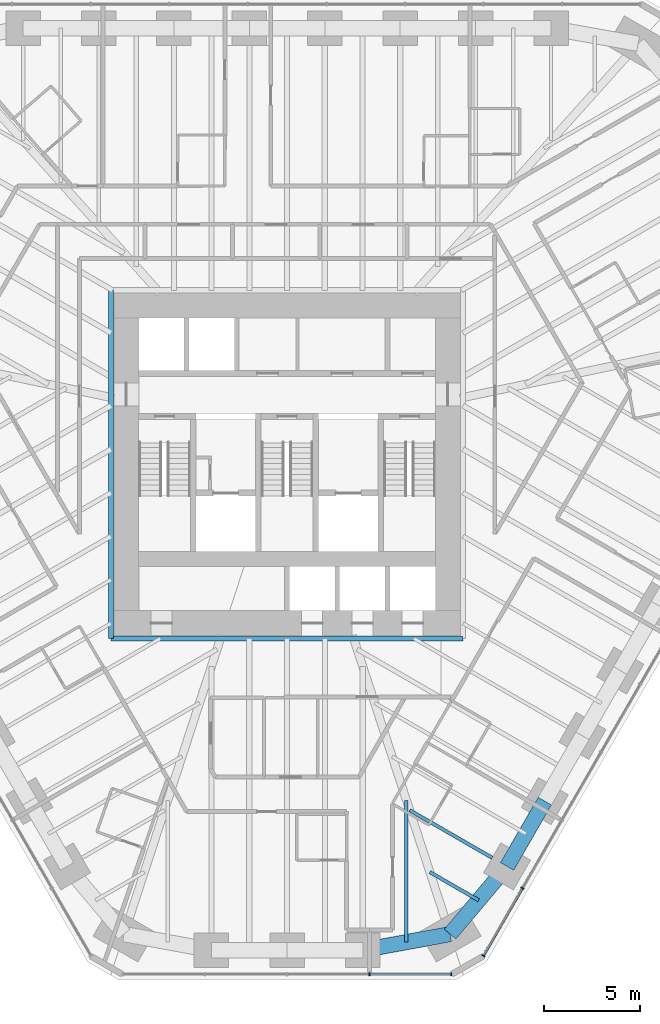
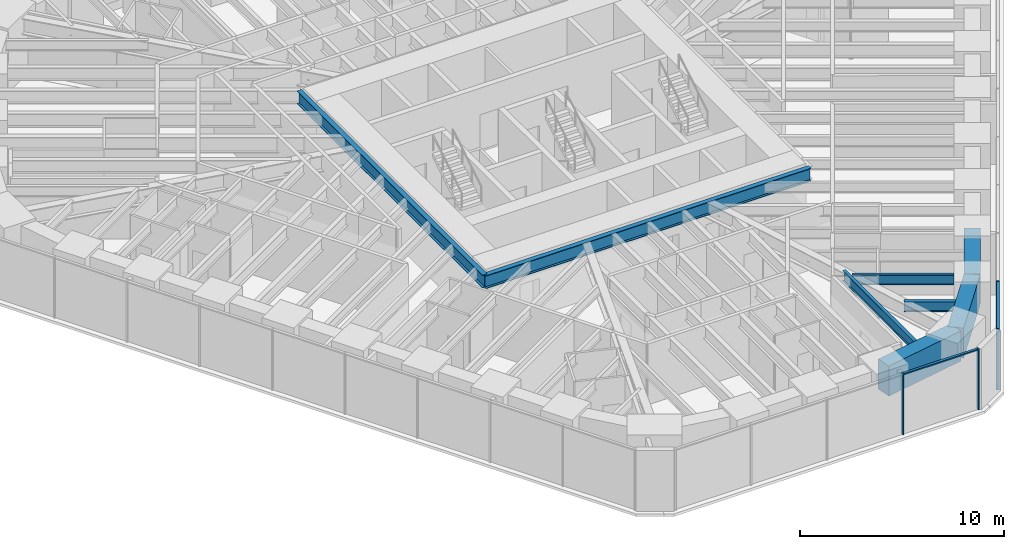
# One storey, part 4 of 17: 8 beams, 6 members, 2 elements without a shape of their own.
"""IFC4 building model written with IfcOpenShell, lengths in metres."""

from ifc_helpers import new_model, si_unit, direction, frame, origin, origin_2d, place, context, subcontext, project, spatial, rectangle, i_section, extrude, material, material_profile, profile_set, type_object, element, aggregate, save


model = new_model("IFC4")

# Units and contexts
model_context = context("Model", 3, precision=1e-05, world=origin(), true_north=direction((0.0, 1.0)))
body_context = subcontext(model_context, "Body", "Model", "MODEL_VIEW")
ifc_project = project(units=[si_unit("LENGTHUNIT", "METRE"), si_unit("AREAUNIT", "SQUARE_METRE"), si_unit("VOLUMEUNIT", "CUBIC_METRE"), si_unit("PLANEANGLEUNIT", "RADIAN"), si_unit("MASSUNIT", "GRAM", prefix="KILO")], contexts=[model_context])

# Site, building, storey
site_placement = place(None, origin())
site = spatial("IfcSite", under=ifc_project, at=site_placement, CompositionType="ELEMENT")
building_placement = place(site_placement, origin())
building = spatial("IfcBuilding", under=site, at=building_placement, Name="Sandreach Pilgrim Tower", CompositionType="ELEMENT")
storey_placement = place(building_placement, frame((0.0, 0.0, 138.60009765625)))
storey = spatial("IfcBuildingStorey", under=building, at=storey_placement, Name="L34", CompositionType="ELEMENT", Elevation=138.60009765625)

# Curtain wall, members
ifc_material_1 = material(Name="Aluminium framed curtain wall", Category="aluminium")
curtain_wall_type = type_object("IfcCurtainWallType", Name="Hotel tower curtain wall", PredefinedType="NOTDEFINED", material=ifc_material_1)
curtain_wall_1_placement = place(storey_placement, origin())
curtain_wall_1 = element("IfcCurtainWall", 1, at=curtain_wall_1_placement, inside=storey, type_object=curtain_wall_type, Name="CW-2 L34 SE", PredefinedType="NOTDEFINED")
ifc_material_2 = material(Name="Aluminium extrusion", Category="aluminium")
ifc_material_profile_1 = material_profile(ifc_material_2, rectangle(XDim=0.06494140625, YDim=0.179931640625, at=origin_2d()), Name="CW-2M 65X180")
ifc_profile_set_1 = profile_set([ifc_material_profile_1], Name="Aluminium extrusion")
member_type_1 = type_object("IfcMemberType", Name="CW-2 mullion", PredefinedType="MULLION", material=ifc_profile_set_1)
member_1_placement = place(storey_placement, frame((12.29296875, -23.695556640625, 0.0), z_axis=(0.0, 0.0, 1.0), x_axis=(-0.5, -0.866025403784, 0.0)))
member_1 = element("IfcMember", 2, at=member_1_placement, type_object=member_type_1, Name="CW-2 mullion 9", PredefinedType="MULLION", context=body_context, shape_type="SweptSolid", body=[
    extrude(rectangle(XDim=0.06494140625, YDim=0.179931640625, at=origin_2d()), origin(), (0.0, 0.0, 1.0), 3.639892578125),
])
member_2_placement = place(storey_placement, frame((10.255859375, -27.22412109375, 0.0), z_axis=(0.0, 0.0, 1.0), x_axis=(-0.5, -0.866025403784, 0.0)))
member_2 = element("IfcMember", 3, at=member_2_placement, type_object=member_type_1, Name="CW-2 mullion 10", PredefinedType="MULLION", context=body_context, shape_type="SweptSolid", body=[
    extrude(rectangle(XDim=0.06494140625, YDim=0.179931640625, at=origin_2d()), origin(), (0.0, 0.0, 1.0), 3.639892578125),
])

curtain_wall_2_placement = place(storey_placement, origin())
curtain_wall_2 = element("IfcCurtainWall", 4, at=curtain_wall_2_placement, inside=storey, type_object=curtain_wall_type, Name="CW-2 L34 S", PredefinedType="NOTDEFINED")
member_3_placement = place(storey_placement, frame((8.578857421875, -28.192138671875, 0.0), z_axis=(0.0, 0.0, 1.0), x_axis=(-1.0, 0.0, 0.0)))
member_3 = element("IfcMember", 5, at=member_3_placement, type_object=member_type_1, Name="CW-2 mullion 1", PredefinedType="MULLION", context=body_context, shape_type="SweptSolid", body=[
    extrude(rectangle(XDim=0.06494140625, YDim=0.179931640625, at=origin_2d()), origin(), (0.0, 0.0, 1.0), 3.639892578125),
])
member_4_placement = place(storey_placement, frame((4.3056640625, -28.192138671875, 0.0), z_axis=(0.0, 0.0, 1.0), x_axis=(-1.0, 0.0, 0.0)))
member_4 = element("IfcMember", 6, at=member_4_placement, type_object=member_type_1, Name="CW-2 mullion 2", PredefinedType="MULLION", context=body_context, shape_type="SweptSolid", body=[
    extrude(rectangle(XDim=0.06494140625, YDim=0.179931640625, at=origin_2d()), origin(), (0.0, 0.0, 1.0), 3.639892578125),
])

# Member
ifc_material_3 = material(Name="Aluminium extrusion", Category="aluminium")
ifc_material_profile_2 = material_profile(ifc_material_3, rectangle(XDim=0.139892578125, YDim=0.070068359375, at=origin_2d()), Name="CW-2T 140X70")
ifc_profile_set_2 = profile_set([ifc_material_profile_2], Name="Aluminium extrusion")
member_type_2 = type_object("IfcMemberType", Name="CW-2 transom", PredefinedType="USERDEFINED", material=ifc_profile_set_2)
member_5_placement = place(storey_placement, frame((12.27685546875, -23.7236328125, 3.60498046875), z_axis=(-0.500015851672, -0.866016251624, 0.0), x_axis=(0.866016251624, -0.500015851672, 0.0)))
member_5 = element("IfcMember", 7, at=member_5_placement, type_object=member_type_2, Name="CW-2 head transom 9", ObjectType="TRANSOM", PredefinedType="USERDEFINED", context=body_context, shape_type="SweptSolid", body=[
    extrude(rectangle(XDim=0.139892578125, YDim=0.070068359375, at=origin_2d()), origin(), (0.0, 0.0, 1.0), 4.009521484375),
])

aggregate(curtain_wall_1, [member_1, member_2, member_5])

member_6_placement = place(storey_placement, frame((8.54638671875, -28.192138671875, 3.60498046875), z_axis=(-1.0, 0.0, 0.0), x_axis=(0.0, -1.0, 0.0)))
member_6 = element("IfcMember", 8, at=member_6_placement, type_object=member_type_2, Name="CW-2 head transom 1", ObjectType="TRANSOM", PredefinedType="USERDEFINED", context=body_context, shape_type="SweptSolid", body=[
    extrude(rectangle(XDim=0.139892578125, YDim=0.070068359375, at=origin_2d()), origin(), (0.0, 0.0, 1.0), 4.208251953125),
])

aggregate(curtain_wall_2, [member_3, member_4, member_6])

# Beams
ifc_material_4 = material(Name="Steel ASTM A992 Grade 50", Category="steel")
ifc_material_profile_3 = material_profile(ifc_material_4, i_section(OverallWidth=0.2666015625, OverallDepth=0.77978515625, WebThickness=0.0166015625, FlangeThickness=0.030029296875, at=origin_2d()), Name="W30X148")
ifc_profile_set_3 = profile_set([ifc_material_profile_3], Name="Steel ASTM A992 Grade 50")
beam_type_1 = type_object("IfcBeamType", Name="Core edge beam W30X148", PredefinedType="BEAM", material=ifc_profile_set_3)
beam_1_placement = place(storey_placement, frame((9.193359375, -10.643310546875, 3.25), z_axis=(-1.0, 0.0, 0.0), x_axis=(0.0, -1.0, 0.0)))
element("IfcBeam", 9, at=beam_1_placement, inside=storey, type_object=beam_type_1, Name="BM L34 CES", PredefinedType="BEAM", context=body_context, shape_type="SweptSolid", body=[
    extrude(i_section(OverallWidth=0.2666015625, OverallDepth=0.77978515625, WebThickness=0.0166015625, FlangeThickness=0.030029296875, at=origin_2d()), origin(), (0.0, 0.0, 1.0), 18.38671875),
])
beam_2_placement = place(storey_placement, frame((-9.193359375, -10.643310546875, 3.25), z_axis=(0.0, 1.0, 0.0), x_axis=(-1.0, 0.0, 0.0)))
element("IfcBeam", 10, at=beam_2_placement, inside=storey, type_object=beam_type_1, Name="BM L34 CEW", PredefinedType="BEAM", context=body_context, shape_type="SweptSolid", body=[
    extrude(i_section(OverallWidth=0.2666015625, OverallDepth=0.77978515625, WebThickness=0.0166015625, FlangeThickness=0.030029296875, at=origin_2d()), origin(), (0.0, 0.0, 1.0), 18.186767578125),
])
ifc_material_5 = material(Name="Steel ASTM A992 Grade 50", Category="steel")
ifc_material_profile_4 = material_profile(ifc_material_5, i_section(OverallWidth=0.1787109375, OverallDepth=0.60205078125, WebThickness=0.010986328125, FlangeThickness=0.014892578125, at=origin_2d()), Name="W24X62")
ifc_profile_set_4 = profile_set([ifc_material_profile_4], Name="Steel ASTM A992 Grade 50")
beam_type_2 = type_object("IfcBeamType", Name="Floor beam W24X62", PredefinedType="BEAM", material=ifc_profile_set_4)
beam_3_placement = place(storey_placement, frame((10.714599609375, -22.109130859375, 3.3388671875), z_axis=(-0.866024645457, 0.500001313459, 0.0), x_axis=(-0.500001313459, -0.866024645457, 0.0)))
element("IfcBeam", 11, at=beam_3_placement, inside=storey, type_object=beam_type_2, Name="BM L34 F21", PredefinedType="BEAM", context=body_context, shape_type="SweptSolid", body=[
    extrude(i_section(OverallWidth=0.1787109375, OverallDepth=0.60205078125, WebThickness=0.010986328125, FlangeThickness=0.014892578125, at=origin_2d()), origin(), (0.0, 0.0, 1.0), 4.9765625),
])
beam_4_placement = place(storey_placement, frame((10.006103515625, -24.326904296875, 3.3388671875), z_axis=(-0.866015396618, 0.500017332519, 0.0), x_axis=(-0.500017332519, -0.866015396618, 0.0)))
element("IfcBeam", 12, at=beam_4_placement, inside=storey, type_object=beam_type_2, Name="BM L34 FM21", PredefinedType="BEAM", context=body_context, shape_type="SweptSolid", body=[
    extrude(i_section(OverallWidth=0.1787109375, OverallDepth=0.60205078125, WebThickness=0.010986328125, FlangeThickness=0.014892578125, at=origin_2d()), origin(), (0.0, 0.0, 1.0), 2.9384765625),
])
beam_5_placement = place(storey_placement, frame((6.236572265625, -26.51318359375, 3.3388671875), z_axis=(0.0, 1.0, 0.0), x_axis=(-1.0, 0.0, 0.0)))
element("IfcBeam", 13, at=beam_5_placement, inside=storey, type_object=beam_type_2, Name="BM L34 FM22", PredefinedType="BEAM", context=body_context, shape_type="SweptSolid", body=[
    extrude(i_section(OverallWidth=0.1787109375, OverallDepth=0.60205078125, WebThickness=0.010986328125, FlangeThickness=0.014892578125, at=origin_2d()), origin(), (0.0, 0.0, 1.0), 7.40771484375),
])
ifc_material_6 = material(Name="Concrete 10000 psi", Category="concrete")
ifc_material_profile_5 = material_profile(ifc_material_6, rectangle(XDim=0.800048828125, YDim=1.800048828125, at=origin_2d()), Name="RC800X1800")
ifc_profile_set_5 = profile_set([ifc_material_profile_5], Name="Concrete 10000 psi")
beam_type_3 = type_object("IfcBeamType", Name="Spandrel beam RC800X1800", PredefinedType="SPANDREL", material=ifc_profile_set_5)
beam_6_placement = place(storey_placement, frame((13.464111328125, -19.147216796875, 2.739990234375), z_axis=(-0.49999779889, -0.866026674592, 0.0), x_axis=(0.866026674592, -0.49999779889, 0.0)))
element("IfcBeam", 14, at=beam_6_placement, inside=storey, type_object=beam_type_3, Name="BM L34 SP20", PredefinedType="SPANDREL", context=body_context, shape_type="SweptSolid", body=[
    extrude(rectangle(XDim=0.800048828125, YDim=1.800048828125, at=origin_2d()), origin(), (0.0, 0.0, 1.0), 3.93994140625),
])
beam_7_placement = place(storey_placement, frame((11.494140625, -22.559326171875, 2.739990234375), z_axis=(-0.644078801547, -0.764959147535, 0.0), x_axis=(0.764959147535, -0.644078801547, 0.0)))
element("IfcBeam", 15, at=beam_7_placement, inside=storey, type_object=beam_type_3, Name="BM L34 SP21", PredefinedType="SPANDREL", context=body_context, shape_type="SweptSolid", body=[
    extrude(rectangle(XDim=0.800048828125, YDim=1.800048828125, at=origin_2d()), origin(), (0.0, 0.0, 1.0), 4.62109375),
])
beam_8_placement = place(storey_placement, frame((8.517822265625, -26.09423828125, 2.739990234375), z_axis=(-0.983551746136, -0.180626583516, 0.0), x_axis=(0.180626583516, -0.983551746136, 0.0)))
element("IfcBeam", 16, at=beam_8_placement, inside=storey, type_object=beam_type_3, Name="BM L34 SP22", PredefinedType="SPANDREL", context=body_context, shape_type="SweptSolid", body=[
    extrude(rectangle(XDim=0.800048828125, YDim=1.800048828125, at=origin_2d()), origin(), (0.0, 0.0, 1.0), 4.638916015625),
])

save(model, "model.ifc")
